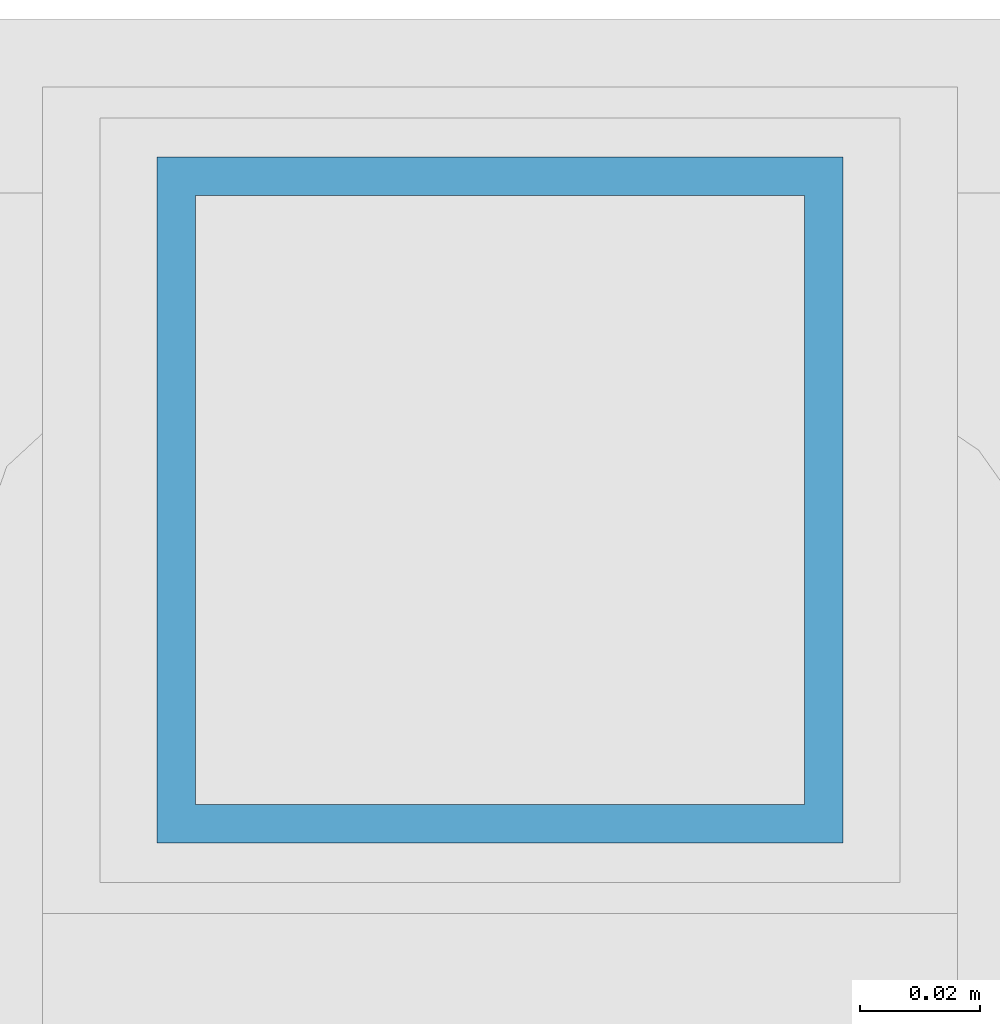
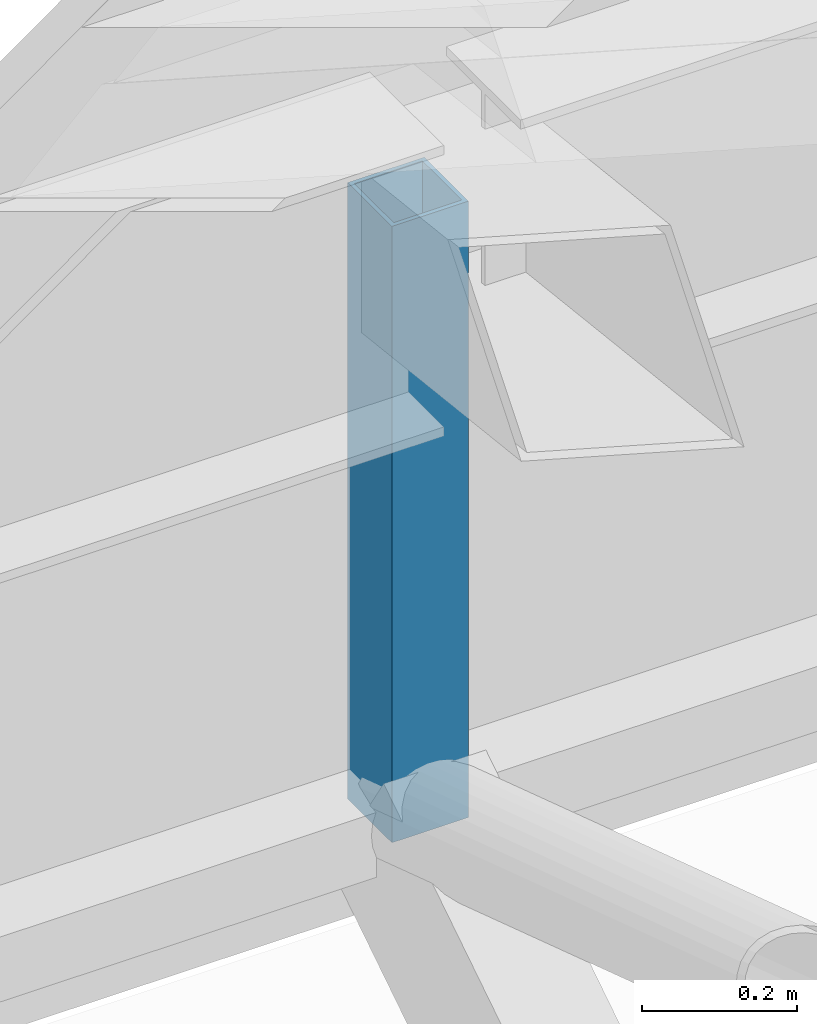
# One storey, part 416 of 500: 1 member.
"""IFC4 building model written with IfcOpenShell, lengths in metres."""

import ifcopenshell
import ifcopenshell.guid

model = None  # the IFC model being written
_history = None  # IfcOwnerHistory: only IFC2X3 demands one
_inside = {}  # id of a spatial element -> (the spatial element, [elements in it])
_under = {}  # id of a project, library or spatial element -> (it, [spatial elements below it])
_declared = {}  # id of a project -> (the project, [libraries it declares])
_typed = {}  # id of a type object -> (the type object, [elements of that type])
_made_of = {}  # id of a material, layer set ... -> (it, [elements and type objects made of it])


def new_model(schema):
    """Start an empty IFC model of exactly this schema.

    Asked for "IFC4X3", IfcOpenShell would pick the latest addendum, in which some entities
    have other attributes; the version numbers below select the first issue.
    IFC2X3 requires an IfcOwnerHistory on every rooted entity: one is made here for all.
    """
    global model, _history
    if schema == "IFC4X3":
        model = ifcopenshell.file(schema_version=(4, 3, 0, 0))
    else:
        model = ifcopenshell.file(schema=schema)
    _inside.clear()
    _under.clear()
    _declared.clear()
    _typed.clear()
    _made_of.clear()
    _history = None
    if model.schema == "IFC2X3":
        org = make("IfcOrganization", Name="unknown")
        user = make(
            "IfcPersonAndOrganization",
            ThePerson=make("IfcPerson", FamilyName="unknown"),
            TheOrganization=org,
        )
        app = make(
            "IfcApplication",
            ApplicationDeveloper=org,
            Version="unknown",
            ApplicationFullName="unknown",
            ApplicationIdentifier="unknown",
        )
        _history = make(
            "IfcOwnerHistory",
            OwningUser=user,
            OwningApplication=app,
            ChangeAction="ADDED",
            CreationDate=0,
        )
    return model


def make(cls, **values):
    """One entity of the class cls with the attributes given. An attribute that is None is left unset."""
    return model.create_entity(
        cls, **{name: value for name, value in values.items() if value is not None}
    )


def rooted(cls, **values):
    """An entity with a GlobalId (a new one), such as an element, a storey or a relation."""
    return make(cls, GlobalId=ifcopenshell.guid.new(), OwnerHistory=_history, **values)


def si_unit(unit_type, name, prefix=None):
    """IfcSIUnit, for example si_unit("LENGTHUNIT", "METRE", prefix="MILLI")."""
    return make("IfcSIUnit", UnitType=unit_type, Prefix=prefix, Name=name)


def assignment(units):
    """IfcUnitAssignment: the units of a project."""
    return None if units is None else make("IfcUnitAssignment", Units=units)


def point(xyz):
    """IfcCartesianPoint."""
    return None if xyz is None else make("IfcCartesianPoint", Coordinates=xyz)


def direction(xyz):
    """IfcDirection."""
    return None if xyz is None else make("IfcDirection", DirectionRatios=xyz)


def frame(location, z_axis=None, x_axis=None):
    """IfcAxis2Placement3D, a coordinate frame: its origin and axes. An axis left out is left unset."""
    return make(
        "IfcAxis2Placement3D",
        Location=point(location),
        Axis=direction(z_axis),
        RefDirection=direction(x_axis),
    )


def frame_2d(location, x_axis=None):
    """IfcAxis2Placement2D, a coordinate frame in the plane: its origin and x axis."""
    return make(
        "IfcAxis2Placement2D", Location=point(location), RefDirection=direction(x_axis)
    )


def origin():
    """The frame at (0, 0, 0) with its axes left unset."""
    return frame((0.0, 0.0, 0.0))


def origin_2d():
    """The frame at (0, 0) in the plane with its x axis left unset."""
    return frame_2d((0.0, 0.0))


def place(relative_to, where):
    """IfcLocalPlacement: puts the frame where relative to a parent placement (None: the world)."""
    return make(
        "IfcLocalPlacement", PlacementRelTo=relative_to, RelativePlacement=where
    )


def context(
    kind, dimensions, precision=None, world=None, true_north=None, identifier=None
):
    """IfcGeometricRepresentationContext, for example the 3D "Model" context."""
    return make(
        "IfcGeometricRepresentationContext",
        ContextIdentifier=identifier,
        ContextType=kind,
        CoordinateSpaceDimension=dimensions,
        Precision=precision,
        WorldCoordinateSystem=world,
        TrueNorth=true_north,
    )


def subcontext(parent, identifier, kind, view, scale=None):
    """IfcGeometricRepresentationSubContext, for example "Body" below "Model"."""
    return make(
        "IfcGeometricRepresentationSubContext",
        ContextIdentifier=identifier,
        ContextType=kind,
        ParentContext=parent,
        TargetScale=scale,
        TargetView=view,
    )


def project(units=None, contexts=None):
    """IfcProject with its units and contexts."""
    return rooted(
        "IfcProject",
        Name="project",
        RepresentationContexts=contexts,
        UnitsInContext=assignment(units),
    )


def spatial(cls, under=None, at=None, **own):
    """A site, building, storey or space (cls), placed at a placement, below another one or the project."""
    s = rooted(cls, ObjectPlacement=at, **own)
    if under is not None:
        _under.setdefault(under.id(), (under, []))[1].append(s)
    return s


def profile(cls, at=None, kind="AREA", **sizes):
    """A parametric profile (cls). Its sizes go by their IFC names, for example OverallWidth=200.0."""
    return make(cls, ProfileType=kind, Position=at, **sizes)


def hollow_rectangle(**sizes):
    """IfcRectangleHollowProfileDef."""
    return profile("IfcRectangleHollowProfileDef", **sizes)


def extrude(swept, where, along, depth):
    """IfcExtrudedAreaSolid: the profile swept, set in the frame where, extruded along a direction by depth."""
    return make(
        "IfcExtrudedAreaSolid",
        SweptArea=swept,
        Position=where,
        ExtrudedDirection=direction(along),
        Depth=depth,
    )


def shape(context_of_items, identifier, shape_type, items):
    """IfcShapeRepresentation: the items that make up one representation, for example the "Body"."""
    return make(
        "IfcShapeRepresentation",
        ContextOfItems=context_of_items,
        RepresentationIdentifier=identifier,
        RepresentationType=shape_type,
        Items=items,
    )


def material(Name=None, Category=None):
    """IfcMaterial."""
    return make("IfcMaterial", Name=Name, Category=Category)


def material_profile(
    of_material, cross_section, Name=None, Category=None, Priority=None
):
    """IfcMaterialProfile: a cross section and its material."""
    return make(
        "IfcMaterialProfile",
        Name=Name,
        Material=of_material,
        Profile=cross_section,
        Priority=Priority,
        Category=Category,
    )


def profile_set(profiles, Name=None, composite=None):
    """IfcMaterialProfileSet."""
    return make(
        "IfcMaterialProfileSet",
        Name=Name,
        MaterialProfiles=profiles,
        CompositeProfile=composite,
    )


def made_of(thing, what):
    """Note that an element or type object is made of a material, layer set ...; save() writes the relation."""
    if what is not None:
        _made_of.setdefault(what.id(), (what, []))[1].append(thing)
    return thing


def type_object(cls, material=None, **own):
    """A type object (cls), such as IfcWallType, which elements share."""
    return made_of(rooted(cls, **own), material)


def element(
    cls,
    number,
    at=None,
    inside=None,
    cuts=None,
    type_object=None,
    material=None,
    context=None,
    identifier="Body",
    shape_type=None,
    held_by="IfcProductDefinitionShape",
    body=None,
    shapes=None,
    **own,
):
    """One element of the class cls, such as IfcWall. Its Tag is "e" and its number.

    at: its placement. inside: the storey or other place that contains it. cuts: it is an
    opening in that element (IfcRelVoidsElement). A single representation is given by context,
    identifier, shape_type and body (its items); several are given by shapes. held_by: the class
    of the entity that holds the representations. save() writes the other relations.
    """
    e = rooted(cls, Tag="e%d" % number, ObjectPlacement=at, **own)
    if body is not None:
        shapes = [shape(context, identifier, shape_type, body)]
    if shapes is not None:
        e.Representation = make(held_by, Representations=shapes)
    if inside is not None:
        _inside.setdefault(inside.id(), (inside, []))[1].append(e)
    if cuts is not None:
        rooted(
            "IfcRelVoidsElement", RelatingBuildingElement=cuts, RelatedOpeningElement=e
        )
    if type_object is not None:
        _typed.setdefault(type_object.id(), (type_object, []))[1].append(e)
    return made_of(e, material)


def aggregate(whole, parts):
    """IfcRelAggregates: a whole, such as a stair, and the parts it consists of."""
    return rooted("IfcRelAggregates", RelatingObject=whole, RelatedObjects=parts)


def save(model, path):
    """Write the relations noted so far, then the file.

    IfcRelAggregates (storeys below a building ...), IfcRelContainedInSpatialStructure (elements
    in a storey), IfcRelDefinesByType, IfcRelAssociatesMaterial and IfcRelDeclares: one each for
    every whole, place, type object, material and project.
    """
    for whole, parts in _under.values():
        aggregate(whole, parts)
    for where, things in _inside.values():
        rooted(
            "IfcRelContainedInSpatialStructure",
            RelatedElements=things,
            RelatingStructure=where,
        )
    for kind, things in _typed.values():
        rooted("IfcRelDefinesByType", RelatedObjects=things, RelatingType=kind)
    for what, things in _made_of.values():
        rooted("IfcRelAssociatesMaterial", RelatedObjects=things, RelatingMaterial=what)
    for by, libraries in _declared.values():
        rooted("IfcRelDeclares", RelatingContext=by, RelatedDefinitions=libraries)
    model.write(path)


model = new_model("IFC4")

# Units and contexts
model_context = context("Model", 3, precision=1e-05, world=origin(), true_north=direction((0.0, 1.0)))
body_context = subcontext(model_context, "Body", "Model", "MODEL_VIEW")
ifc_project = project(units=[si_unit("LENGTHUNIT", "METRE"), si_unit("AREAUNIT", "SQUARE_METRE"), si_unit("VOLUMEUNIT", "CUBIC_METRE"), si_unit("PLANEANGLEUNIT", "RADIAN"), si_unit("MASSUNIT", "GRAM", prefix="KILO")], contexts=[model_context])

# Site, building, storey
site_placement = place(None, origin())
site = spatial("IfcSite", under=ifc_project, at=site_placement, CompositionType="ELEMENT")
building_placement = place(site_placement, origin())
building = spatial("IfcBuilding", under=site, at=building_placement, Name="Shirokan Park Arena", CompositionType="ELEMENT")
storey_placement = place(building_placement, frame((0.0, 0.0, 29.1201171875)))
storey = spatial("IfcBuildingStorey", under=building, at=storey_placement, Name="L06", CompositionType="ELEMENT", Elevation=29.1201171875)

# Member
ifc_material = material(Name="Steel ASTM A500 Grade C", Category="steel")
ifc_material_profile = material_profile(ifc_material, hollow_rectangle(XDim=0.114013671875, YDim=0.114013671875, WallThickness=0.00634765625, at=origin_2d()), Name="HSS114.3X114.3X6.4")
ifc_profile_set = profile_set([ifc_material_profile], Name="Steel ASTM A500 Grade C")
member_type = type_object("IfcMemberType", Name="Truss post HSS114.3X114.3X6.4", PredefinedType="POST", material=ifc_profile_set)
member_placement = place(storey_placement, frame((100.10009765625, 118.300048828125, 10.531982421875), z_axis=(0.0, 0.0, 1.0), x_axis=(1.0, 0.0, 0.0)))
element("IfcMember", 1, at=member_placement, inside=storey, type_object=member_type, Name="Truss T12 post 29", PredefinedType="POST", context=body_context, shape_type="SweptSolid", body=[
    extrude(hollow_rectangle(XDim=0.114013671875, YDim=0.114013671875, WallThickness=0.00634765625, at=origin_2d()), origin(), (0.0, 0.0, 1.0), 0.969482421875),
])

save(model, "model.ifc")
